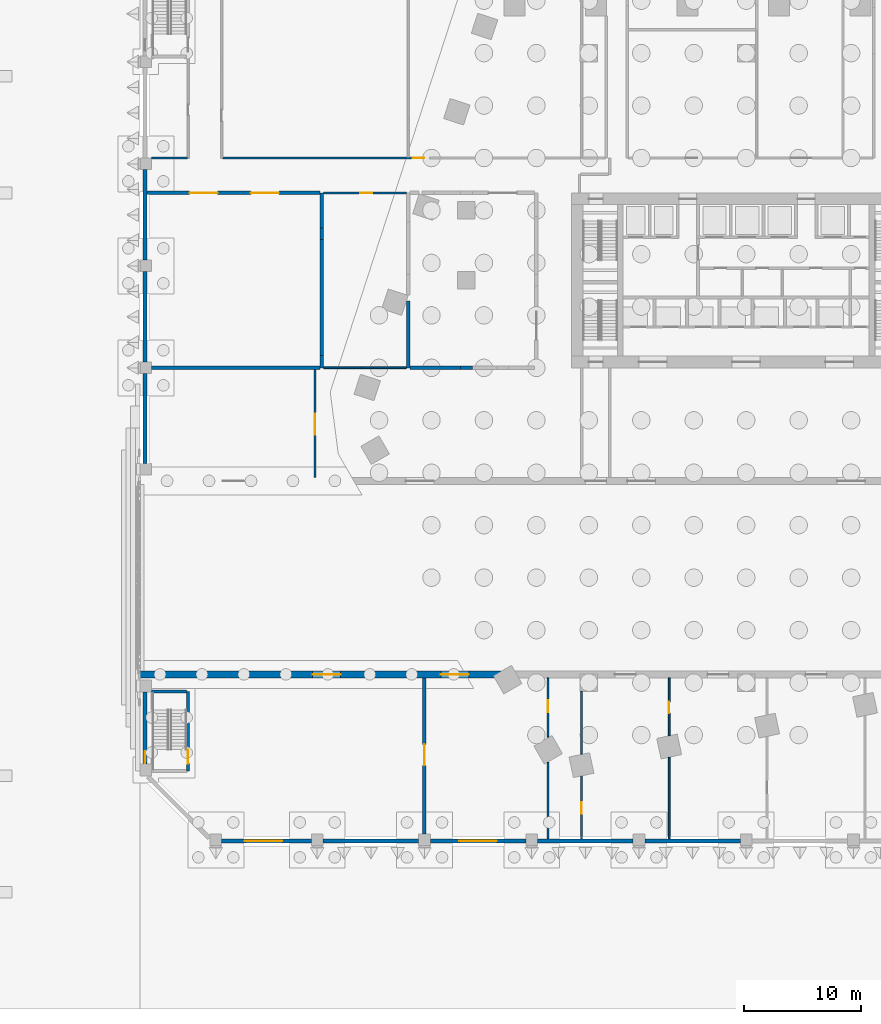
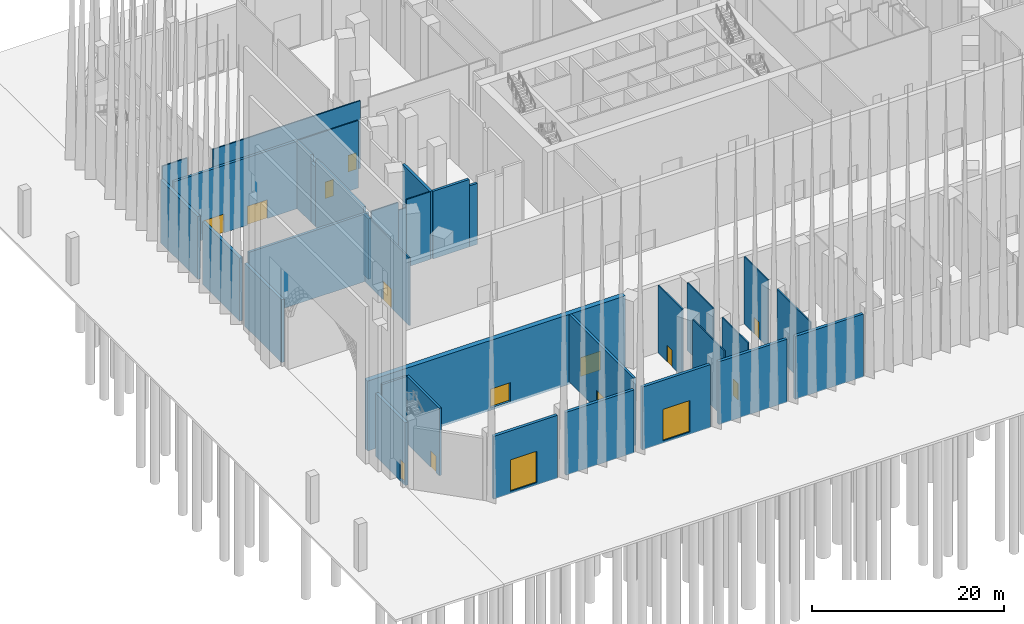
# One storey, part 8 of 32: 35 walls, 15 doors, 15 openings.
"""IFC4 building model written with IfcOpenShell, lengths in metres."""

from ifc_helpers import new_model, si_unit, direction, frame, frame_2d, origin, place, context, subcontext, project, spatial, rectangle, extrude, material, layer, layer_set, type_object, element, fill, save


model = new_model("IFC4")

# Units and contexts
model_context = context("Model", 3, precision=1e-05, world=origin(), true_north=direction((0.0, 1.0)))
body_context = subcontext(model_context, "Body", "Model", "MODEL_VIEW")
ifc_project = project(units=[si_unit("LENGTHUNIT", "METRE"), si_unit("AREAUNIT", "SQUARE_METRE"), si_unit("VOLUMEUNIT", "CUBIC_METRE"), si_unit("PLANEANGLEUNIT", "RADIAN"), si_unit("MASSUNIT", "GRAM", prefix="KILO")], contexts=[model_context])

# Site, building, storey
site_placement = place(None, origin())
site = spatial("IfcSite", under=ifc_project, at=site_placement, CompositionType="ELEMENT")
building_placement = place(site_placement, origin())
building = spatial("IfcBuilding", under=site, at=building_placement, Name="Isthmus Gate Tower", CompositionType="ELEMENT")
storey_placement = place(building_placement, origin())
storey = spatial("IfcBuildingStorey", under=building, at=storey_placement, Name="L00", CompositionType="ELEMENT", Elevation=0.0)

# Walls
ifc_material_1 = material(Name="Double-leaf gypsum board with mineral wool, resilient mounted")
ifc_layer_1 = layer(ifc_material_1, 0.300048828125)
ifc_layer_set_1 = layer_set([ifc_layer_1], Name="Acoustic studio wall 300 double leaf")
wall_type_1 = type_object("IfcWallType", Name="Acoustic studio wall 300 double leaf", PredefinedType="PARTITIONING", material=ifc_layer_set_1)
wall_1_placement = place(storey_placement, frame((-51.0, 0.0, 0.0), z_axis=(0.0, 0.0, 1.0), x_axis=(1.0, 0.0, 0.0)))
element("IfcWall", 1, at=wall_1_placement, inside=storey, type_object=wall_type_1, Name="Acoustic studio wall", PredefinedType="PARTITIONING", context=body_context, shape_type="SweptSolid", body=[
    extrude(rectangle(XDim=14.449951171875, YDim=0.300048828125, at=frame_2d((7.22509765625, 0.0))), origin(), (0.0, 0.0, 1.0), 8.60009765625),
])
wall_2_placement = place(storey_placement, frame((-28.85009765625, 0.0, 0.0), z_axis=(0.0, 0.0, 1.0), x_axis=(1.0, 0.0, 0.0)))
element("IfcWall", 2, at=wall_2_placement, inside=storey, type_object=wall_type_1, Name="Acoustic studio wall", PredefinedType="PARTITIONING", context=body_context, shape_type="SweptSolid", body=[
    extrude(rectangle(XDim=4.35009765625, YDim=0.300048828125, at=frame_2d((2.175048828125, 0.0))), origin(), (0.0, 0.0, 1.0), 8.60009765625),
])
wall_3_placement = place(storey_placement, frame((-24.5, 0.0, 0.0), z_axis=(0.0, 0.0, 1.0), x_axis=(1.0, 0.0, 0.0)))
element("IfcWall", 3, at=wall_3_placement, inside=storey, type_object=wall_type_1, Name="Acoustic studio wall", PredefinedType="PARTITIONING", context=body_context, shape_type="SweptSolid", body=[
    extrude(rectangle(XDim=1.0, YDim=0.300048828125, at=frame_2d((0.5, 0.0))), origin(), (0.0, 0.0, 1.0), 7.764892578125),
])

# Wall, openings, doors
wall_4_placement = place(storey_placement, frame((-51.39990234375, 15.0, 0.0), z_axis=(0.0, 0.0, 1.0), x_axis=(1.0, 0.0, 0.0)))
wall_4 = element("IfcWall", 4, at=wall_4_placement, inside=storey, type_object=wall_type_1, Name="Acoustic studio wall", PredefinedType="PARTITIONING", context=body_context, shape_type="SweptSolid", body=[
    extrude(rectangle(XDim=14.849853515625, YDim=0.300048828125, at=frame_2d((7.4248046875, 0.0))), origin(), (0.0, 0.0, 1.0), 8.60009765625),
])
opening_1_placement = place(wall_4_placement, frame((3.64990234375, 0.0, 0.0)))
opening_1 = element("IfcOpeningElement", 5, at=opening_1_placement, cuts=wall_4, Name="Opening DP00-17", PredefinedType="OPENING", context=body_context, shape_type="SweptSolid", body=[
    extrude(rectangle(XDim=2.39990234375, YDim=2.39990234375, at=frame_2d((1.199951171875, 1.199951171875))), frame((0.0, 0.159912109375, 0.0), z_axis=(0.0, -1.0, 0.0), x_axis=(1.0, 0.0, 0.0)), (0.0, 0.0, 1.0), 0.320068359375),
])
opening_2_placement = place(wall_4_placement, frame((8.89990234375, 0.0, 0.0)))
opening_2 = element("IfcOpeningElement", 6, at=opening_2_placement, cuts=wall_4, Name="Opening DP00-18", PredefinedType="OPENING", context=body_context, shape_type="SweptSolid", body=[
    extrude(rectangle(XDim=2.39990234375, YDim=2.39990234375, at=frame_2d((1.199951171875, 1.199951171875))), frame((0.0, 0.159912109375, 0.0), z_axis=(0.0, -1.0, 0.0), x_axis=(1.0, 0.0, 0.0)), (0.0, 0.0, 1.0), 0.320068359375),
])
ifc_material_2 = material(Name="Hollow metal frame with solid-core timber leaves", Category="wood")
door_type_1 = type_object("IfcDoorType", Name="Double swing door 2400 x 2400", OperationType="DOUBLE_DOOR_SINGLE_SWING", PredefinedType="DOOR", material=ifc_material_2)
door_1_placement = place(opening_1_placement, origin())
door_1 = element("IfcDoor", 7, at=door_1_placement, inside=storey, type_object=door_type_1, Name="Door DP00-17", OperationType="SINGLE_SWING_LEFT", OverallHeight=2.39990234375, OverallWidth=2.39990234375, PredefinedType="DOOR", context=body_context, shape_type="SweptSolid", body=[
    extrude(rectangle(XDim=2.39990234375, YDim=2.39990234375, at=frame_2d((1.199951171875, 1.199951171875))), frame((0.0, 0.02490234375, 0.0), z_axis=(0.0, -1.0, 0.0), x_axis=(1.0, 0.0, 0.0)), (0.0, 0.0, 1.0), 0.050048828125),
])
fill(opening_1, door_1)
door_2_placement = place(opening_2_placement, origin())
door_2 = element("IfcDoor", 8, at=door_2_placement, inside=storey, type_object=door_type_1, Name="Door DP00-18", OperationType="SINGLE_SWING_LEFT", OverallHeight=2.39990234375, OverallWidth=2.39990234375, PredefinedType="DOOR", context=body_context, shape_type="SweptSolid", body=[
    extrude(rectangle(XDim=2.39990234375, YDim=2.39990234375, at=frame_2d((1.199951171875, 1.199951171875))), frame((0.0, 0.02490234375, 0.0), z_axis=(0.0, -1.0, 0.0), x_axis=(1.0, 0.0, 0.0)), (0.0, 0.0, 1.0), 0.050048828125),
])
fill(opening_2, door_2)

# Walls
wall_5_placement = place(storey_placement, frame((-36.39990234375, 0.0, 0.0), z_axis=(0.0, 0.0, 1.0), x_axis=(0.0, 1.0, 0.0)))
element("IfcWall", 9, at=wall_5_placement, inside=storey, type_object=wall_type_1, Name="Acoustic studio wall", PredefinedType="PARTITIONING", context=body_context, shape_type="SweptSolid", body=[
    extrude(rectangle(XDim=1.054931640625, YDim=0.300048828125, at=frame_2d((0.52734375, 0.0))), origin(), (0.0, 0.0, 1.0), 7.6982421875),
])
wall_6_placement = place(storey_placement, frame((-36.39990234375, 1.054931640625, 0.0), z_axis=(0.0, 0.0, 1.0), x_axis=(0.0, 1.0, 0.0)))
element("IfcWall", 10, at=wall_6_placement, inside=storey, type_object=wall_type_1, Name="Acoustic studio wall", PredefinedType="PARTITIONING", context=body_context, shape_type="SweptSolid", body=[
    extrude(rectangle(XDim=9.955810546875, YDim=0.300048828125, at=frame_2d((4.97802734375, 0.0))), origin(), (0.0, 0.0, 1.0), 8.60009765625),
])
wall_7_placement = place(storey_placement, frame((-36.39990234375, 11.0107421875, 0.0), z_axis=(0.0, 0.0, 1.0), x_axis=(0.0, 1.0, 0.0)))
element("IfcWall", 11, at=wall_7_placement, inside=storey, type_object=wall_type_1, Name="Acoustic studio wall", PredefinedType="PARTITIONING", context=body_context, shape_type="SweptSolid", body=[
    extrude(rectangle(XDim=1.0, YDim=0.300048828125, at=frame_2d((0.5, 0.0))), origin(), (0.0, 0.0, 1.0), 7.618896484375),
])
wall_8_placement = place(storey_placement, frame((-36.39990234375, 12.0107421875, 0.0), z_axis=(0.0, 0.0, 1.0), x_axis=(0.0, 1.0, 0.0)))
element("IfcWall", 12, at=wall_8_placement, inside=storey, type_object=wall_type_1, Name="Acoustic studio wall", PredefinedType="PARTITIONING", context=body_context, shape_type="SweptSolid", body=[
    extrude(rectangle(XDim=2.9892578125, YDim=0.300048828125, at=frame_2d((1.49462890625, 0.0))), origin(), (0.0, 0.0, 1.0), 8.60009765625),
])
wall_9_placement = place(storey_placement, frame((-29.0, 0.0, 0.0), z_axis=(0.0, 0.0, 1.0), x_axis=(0.0, 1.0, 0.0)))
element("IfcWall", 13, at=wall_9_placement, inside=storey, type_object=wall_type_1, Name="Acoustic studio wall", PredefinedType="PARTITIONING", context=body_context, shape_type="SweptSolid", body=[
    extrude(rectangle(XDim=5.751953125, YDim=0.300048828125, at=frame_2d((2.8759765625, 0.0))), origin(), (0.0, 0.0, 1.0), 8.60009765625),
])

# Wall, opening, door
wall_10_placement = place(storey_placement, frame((-27.60009765625, -40.0, 0.0), z_axis=(0.0, 0.0, 1.0), x_axis=(0.0, 1.0, 0.0)))
wall_10 = element("IfcWall", 14, at=wall_10_placement, inside=storey, type_object=wall_type_1, Name="Acoustic studio wall", PredefinedType="PARTITIONING", context=body_context, shape_type="SweptSolid", body=[
    extrude(rectangle(XDim=13.39990234375, YDim=0.300048828125, at=frame_2d((6.699951171875, 0.0))), origin(), (0.0, 0.0, 1.0), 8.60009765625),
])
opening_3_placement = place(wall_10_placement, frame((5.89990234375, 0.0, 0.0)))
opening_3 = element("IfcOpeningElement", 15, at=opening_3_placement, cuts=wall_10, Name="Opening DP00-10", PredefinedType="OPENING", context=body_context, shape_type="SweptSolid", body=[
    extrude(rectangle(XDim=1.800048828125, YDim=2.39990234375, at=frame_2d((0.89990234375, 1.199951171875))), frame((0.0, 0.159912109375, 0.0), z_axis=(0.0, -1.0, 0.0), x_axis=(1.0, 0.0, 0.0)), (0.0, 0.0, 1.0), 0.320068359375),
])
ifc_material_3 = material(Name="Hollow metal frame with solid-core timber leaves", Category="wood")
door_type_2 = type_object("IfcDoorType", Name="Double swing door 1800 x 2400", OperationType="DOUBLE_DOOR_SINGLE_SWING", PredefinedType="DOOR", material=ifc_material_3)
door_3_placement = place(opening_3_placement, origin())
door_3 = element("IfcDoor", 16, at=door_3_placement, inside=storey, type_object=door_type_2, Name="Door DP00-10", OperationType="SINGLE_SWING_LEFT", OverallHeight=2.39990234375, OverallWidth=1.800048828125, PredefinedType="DOOR", context=body_context, shape_type="SweptSolid", body=[
    extrude(rectangle(XDim=1.800048828125, YDim=2.39990234375, at=frame_2d((0.89990234375, 1.199951171875))), frame((0.0, 0.02490234375, 0.0), z_axis=(0.0, -1.0, 0.0), x_axis=(1.0, 0.0, 0.0)), (0.0, 0.0, 1.0), 0.050048828125),
])
fill(opening_3, door_3)

ifc_material_4 = material(Name="Precast concrete C40/50, limestone-faced", Category="masonry")
ifc_layer_2 = layer(ifc_material_4, 0.35009765625)
ifc_layer_set_2 = layer_set([ifc_layer_2], Name="PODIUM CLADDING WALL 350")
wall_type_2 = type_object("IfcWallType", Name="PODIUM CLADDING WALL 350", PredefinedType="SOLIDWALL", material=ifc_layer_set_2)
wall_11_placement = place(storey_placement, frame((-45.0, -40.574951171875, -0.300048828125), z_axis=(0.0, 0.0, 1.0), x_axis=(1.0, 0.0, 0.0)))
wall_11 = element("IfcWall", 17, at=wall_11_placement, inside=storey, type_object=wall_type_2, Name="PODIUM WALL", PredefinedType="SOLIDWALL", context=body_context, shape_type="SweptSolid", body=[
    extrude(rectangle(XDim=7.699951171875, YDim=0.35009765625, at=frame_2d((3.85009765625, 0.0))), origin(), (0.0, 0.0, 1.0), 8.0),
])
opening_4_placement = place(wall_11_placement, frame((2.0, 0.0, 0.300048828125)))
opening_4 = element("IfcOpeningElement", 18, at=opening_4_placement, cuts=wall_11, Name="Opening DE00-01", PredefinedType="OPENING", context=body_context, shape_type="SweptSolid", body=[
    extrude(rectangle(XDim=3.199951171875, YDim=4.0, at=frame_2d((1.60009765625, 2.0))), frame((0.0, 0.18505859375, 0.0), z_axis=(0.0, -1.0, 0.0), x_axis=(1.0, 0.0, 0.0)), (0.0, 0.0, 1.0), 0.3701171875),
])
ifc_material_5 = material(Name="Aluminium and laminated glass", Category="aluminium")
door_type_3 = type_object("IfcDoorType", Name="ENTRANCE DOUBLE SWING DOOR 3200 X 4000", OperationType="DOUBLE_DOOR_SINGLE_SWING", PredefinedType="DOOR", material=ifc_material_5)
door_4_placement = place(opening_4_placement, origin())
door_4 = element("IfcDoor", 19, at=door_4_placement, inside=storey, type_object=door_type_3, Name="DOOR DE00-01", OperationType="DOUBLE_DOOR_SINGLE_SWING", OverallHeight=4.0, OverallWidth=3.199951171875, PredefinedType="DOOR", context=body_context, shape_type="SweptSolid", body=[
    extrude(rectangle(XDim=3.199951171875, YDim=4.0, at=frame_2d((1.60009765625, 2.0))), frame((0.0, 0.02490234375, 0.0), z_axis=(0.0, -1.0, 0.0), x_axis=(1.0, 0.0, 0.0)), (0.0, 0.0, 1.0), 0.050048828125),
])
fill(opening_4, door_4)

# Wall
wall_12_placement = place(storey_placement, frame((-36.300048828125, -40.574951171875, -0.300048828125), z_axis=(0.0, 0.0, 1.0), x_axis=(1.0, 0.0, 0.0)))
element("IfcWall", 20, at=wall_12_placement, inside=storey, type_object=wall_type_2, Name="PODIUM WALL", PredefinedType="SOLIDWALL", context=body_context, shape_type="SweptSolid", body=[
    extrude(rectangle(XDim=8.199951171875, YDim=0.35009765625, at=frame_2d((4.10009765625, 0.0))), origin(), (0.0, 0.0, 1.0), 8.0),
])

# Wall, opening, door
wall_13_placement = place(storey_placement, frame((-27.10009765625, -40.574951171875, -0.300048828125), z_axis=(0.0, 0.0, 1.0), x_axis=(1.0, 0.0, 0.0)))
wall_13 = element("IfcWall", 21, at=wall_13_placement, inside=storey, type_object=wall_type_2, Name="PODIUM WALL", PredefinedType="SOLIDWALL", context=body_context, shape_type="SweptSolid", body=[
    extrude(rectangle(XDim=8.2001953125, YDim=0.35009765625, at=frame_2d((4.10009765625, 0.0))), origin(), (0.0, 0.0, 1.0), 8.0),
])
opening_5_placement = place(wall_13_placement, frame((2.5, 0.0, 0.300048828125)))
opening_5 = element("IfcOpeningElement", 22, at=opening_5_placement, cuts=wall_13, Name="Opening DE00-03", PredefinedType="OPENING", context=body_context, shape_type="SweptSolid", body=[
    extrude(rectangle(XDim=3.199951171875, YDim=4.0, at=frame_2d((1.60009765625, 2.0))), frame((0.0, 0.18505859375, 0.0), z_axis=(0.0, -1.0, 0.0), x_axis=(1.0, 0.0, 0.0)), (0.0, 0.0, 1.0), 0.3701171875),
])
door_5_placement = place(opening_5_placement, origin())
door_5 = element("IfcDoor", 23, at=door_5_placement, inside=storey, type_object=door_type_3, Name="DOOR DE00-03", OperationType="DOUBLE_DOOR_SINGLE_SWING", OverallHeight=4.0, OverallWidth=3.199951171875, PredefinedType="DOOR", context=body_context, shape_type="SweptSolid", body=[
    extrude(rectangle(XDim=3.199951171875, YDim=4.0, at=frame_2d((1.60009765625, 2.0))), frame((0.0, 0.02490234375, 0.0), z_axis=(0.0, -1.0, 0.0), x_axis=(1.0, 0.0, 0.0)), (0.0, 0.0, 1.0), 0.050048828125),
])
fill(opening_5, door_5)

# Walls
for number, where, z_axis, x_axis, name in (
    (24, (-17.89990234375, -40.574951171875, -0.300048828125), (0.0, 0.0, 1.0), (1.0, 0.0, 0.0), "PODIUM WALL"),
    (25, (-8.699951171875, -40.574951171875, -0.300048828125), (0.0, 0.0, 1.0), (1.0, 0.0, 0.0), "PODIUM WALL"),
):
    element("IfcWall", number, at=place(storey_placement, frame(where, z_axis=z_axis, x_axis=x_axis)), inside=storey, type_object=wall_type_2, Name=name, PredefinedType="SOLIDWALL", context=body_context, shape_type="SweptSolid", body=[
        extrude(rectangle(XDim=8.199951171875, YDim=0.35009765625, at=frame_2d((4.10009765625, 0.0))), origin(), (0.0, 0.0, 1.0), 8.0),
    ])
for number, where, z_axis, x_axis, name in (
    (26, (-51.574951171875, 17.0, -0.300048828125), (0.0, 0.0, 1.0), (0.0, -1.0, 0.0), "PODIUM WALL"),
    (27, (-51.574951171875, 8.25, -0.300048828125), (0.0, 0.0, 1.0), (0.0, -1.0, 0.0), "PODIUM WALL"),
):
    element("IfcWall", number, at=place(storey_placement, frame(where, z_axis=z_axis, x_axis=x_axis)), inside=storey, type_object=wall_type_2, Name=name, PredefinedType="SOLIDWALL", context=body_context, shape_type="SweptSolid", body=[
        extrude(rectangle(XDim=7.75, YDim=0.35009765625, at=frame_2d((3.875, 0.0))), origin(), (0.0, 0.0, 1.0), 8.0),
    ])
wall_14_placement = place(storey_placement, frame((-51.574951171875, -0.5, -0.300048828125), z_axis=(0.0, 0.0, 1.0), x_axis=(0.0, -1.0, 0.0)))
element("IfcWall", 28, at=wall_14_placement, inside=storey, type_object=wall_type_2, Name="PODIUM WALL", PredefinedType="SOLIDWALL", context=body_context, shape_type="SweptSolid", body=[
    extrude(rectangle(XDim=7.699951171875, YDim=0.35009765625, at=frame_2d((3.85009765625, 0.0))), origin(), (0.0, 0.0, 1.0), 8.0),
])

# Wall, opening, door
wall_15_placement = place(storey_placement, frame((-51.574951171875, -27.800048828125, -0.300048828125), z_axis=(0.0, 0.0, 1.0), x_axis=(0.0, -1.0, 0.0)))
wall_15 = element("IfcWall", 29, at=wall_15_placement, inside=storey, type_object=wall_type_2, Name="PODIUM WALL", PredefinedType="SOLIDWALL", context=body_context, shape_type="SweptSolid", body=[
    extrude(rectangle(XDim=6.199951171875, YDim=0.35009765625, at=frame_2d((3.10009765625, 0.0))), origin(), (0.0, 0.0, 1.0), 8.0),
])
opening_6_placement = place(wall_15_placement, frame((5.10009765625, 0.0, 0.300048828125)))
opening_6 = element("IfcOpeningElement", 30, at=opening_6_placement, cuts=wall_15, Name="Opening DE00-11", PredefinedType="OPENING", context=body_context, shape_type="SweptSolid", body=[
    extrude(rectangle(XDim=1.0, YDim=2.39990234375, at=frame_2d((0.5, 1.199951171875))), frame((0.0, 0.18505859375, 0.0), z_axis=(0.0, -1.0, 0.0), x_axis=(1.0, 0.0, 0.0)), (0.0, 0.0, 1.0), 0.3701171875),
])
ifc_material_6 = material(Name="Galvanised steel, powder-coated", Category="steel")
door_type_4 = type_object("IfcDoorType", Name="STAIR EXIT FIRE DOOR 1000 X 2400", OperationType="SINGLE_SWING_LEFT", PredefinedType="DOOR", material=ifc_material_6)
door_6_placement = place(opening_6_placement, frame((1.0, 0.0, 0.0), z_axis=(0.0, 0.0, 1.0), x_axis=(-1.0, 0.0, 0.0)))
door_6 = element("IfcDoor", 31, at=door_6_placement, inside=storey, type_object=door_type_4, Name="DOOR DE00-11", OperationType="SINGLE_SWING_LEFT", OverallHeight=2.39990234375, OverallWidth=1.0, PredefinedType="DOOR", context=body_context, shape_type="SweptSolid", body=[
    extrude(rectangle(XDim=1.0, YDim=2.39990234375, at=frame_2d((0.5, 1.199951171875))), frame((0.0, 0.02490234375, 0.0), z_axis=(0.0, -1.0, 0.0), x_axis=(1.0, 0.0, 0.0)), (0.0, 0.0, 1.0), 0.050048828125),
])
fill(opening_6, door_6)

# Walls
ifc_material_7 = material(Name="Gypsum board on cold-formed steel studs", Category="steel")
ifc_layer_3 = layer(ifc_material_7, 0.14990234375)
ifc_layer_set_3 = layer_set([ifc_layer_3])
wall_type_3 = type_object("IfcWallType", Name="Partition 150 gypsum board on steel studs", PredefinedType="PARTITIONING", material=ifc_layer_set_3)
wall_16_placement = place(storey_placement, frame((-36.25, 0.0, 0.0), z_axis=(0.0, 0.0, 1.0), x_axis=(1.0, 0.0, 0.0)))
element("IfcWall", 32, at=wall_16_placement, inside=storey, type_object=wall_type_3, Name="Partition", PredefinedType="PARTITIONING", context=body_context, shape_type="SweptSolid", body=[
    extrude(rectangle(XDim=3.259033203125, YDim=0.14990234375, at=frame_2d((1.62939453125, 0.0))), origin(), (0.0, 0.0, 1.0), 8.60009765625),
])
wall_17_placement = place(storey_placement, frame((-32.990966796875, 0.0, 0.0), z_axis=(0.0, 0.0, 1.0), x_axis=(1.0, 0.0, 0.0)))
element("IfcWall", 33, at=wall_17_placement, inside=storey, type_object=wall_type_3, Name="Partition", PredefinedType="PARTITIONING", context=body_context, shape_type="SweptSolid", body=[
    extrude(rectangle(XDim=1.0, YDim=0.14990234375, at=frame_2d((0.5, 0.0))), origin(), (0.0, 0.0, 1.0), 7.60009765625),
])
wall_18_placement = place(storey_placement, frame((-31.990966796875, 0.0, 0.0), z_axis=(0.0, 0.0, 1.0), x_axis=(1.0, 0.0, 0.0)))
element("IfcWall", 34, at=wall_18_placement, inside=storey, type_object=wall_type_3, Name="Partition", PredefinedType="PARTITIONING", context=body_context, shape_type="SweptSolid", body=[
    extrude(rectangle(XDim=2.841064453125, YDim=0.14990234375, at=frame_2d((1.42041015625, 0.0))), origin(), (0.0, 0.0, 1.0), 8.60009765625),
])

# Wall, opening, door
wall_19_placement = place(storey_placement, frame((-36.25, 15.0, 0.0), z_axis=(0.0, 0.0, 1.0), x_axis=(1.0, 0.0, 0.0)))
wall_19 = element("IfcWall", 35, at=wall_19_placement, inside=storey, type_object=wall_type_3, Name="Partition", PredefinedType="PARTITIONING", context=body_context, shape_type="SweptSolid", body=[
    extrude(rectangle(XDim=7.10009765625, YDim=0.14990234375, at=frame_2d((3.550048828125, 0.0))), origin(), (0.0, 0.0, 1.0), 8.60009765625),
])
opening_7_placement = place(wall_19_placement, frame((3.14990234375, 0.0, 0.0)))
opening_7 = element("IfcOpeningElement", 36, at=opening_7_placement, cuts=wall_19, Name="Opening DP00-19", PredefinedType="OPENING", context=body_context, shape_type="SweptSolid", body=[
    extrude(rectangle(XDim=1.0, YDim=2.10009765625, at=frame_2d((0.5, 1.050048828125))), frame((0.0, 0.0849609375, 0.0), z_axis=(0.0, -1.0, 0.0), x_axis=(1.0, 0.0, 0.0)), (0.0, 0.0, 1.0), 0.169921875),
])
ifc_material_8 = material(Name="Hollow metal frame with solid-core timber leaf", Category="wood")
door_type_5 = type_object("IfcDoorType", Name="Single swing door 1000 x 2100", OperationType="SINGLE_SWING_LEFT", PredefinedType="DOOR", material=ifc_material_8)
door_7_placement = place(opening_7_placement, origin())
door_7 = element("IfcDoor", 37, at=door_7_placement, inside=storey, type_object=door_type_5, Name="Door DP00-19", OperationType="SINGLE_SWING_LEFT", OverallHeight=2.10009765625, OverallWidth=1.0, PredefinedType="DOOR", context=body_context, shape_type="SweptSolid", body=[
    extrude(rectangle(XDim=1.0, YDim=2.10009765625, at=frame_2d((0.5, 1.050048828125))), frame((0.0, 0.02490234375, 0.0), z_axis=(0.0, -1.0, 0.0), x_axis=(1.0, 0.0, 0.0)), (0.0, 0.0, 1.0), 0.050048828125),
])
fill(opening_7, door_7)

# Wall
wall_20_placement = place(storey_placement, frame((-51.0, 18.0, 0.0), z_axis=(0.0, 0.0, 1.0), x_axis=(1.0, 0.0, 0.0)))
element("IfcWall", 38, at=wall_20_placement, inside=storey, type_object=wall_type_3, Name="Partition", PredefinedType="PARTITIONING", context=body_context, shape_type="SweptSolid", body=[
    extrude(rectangle(XDim=3.050048828125, YDim=0.14990234375, at=frame_2d((1.52490234375, 0.0))), origin(), (0.0, 0.0, 1.0), 8.60009765625),
])

# Wall, opening, door
wall_21_placement = place(storey_placement, frame((-44.925048828125, 18.0, 0.0), z_axis=(0.0, 0.0, 1.0), x_axis=(1.0, 0.0, 0.0)))
wall_21 = element("IfcWall", 39, at=wall_21_placement, inside=storey, type_object=wall_type_3, Name="Partition", PredefinedType="PARTITIONING", context=body_context, shape_type="SweptSolid", body=[
    extrude(rectangle(XDim=17.78271484375, YDim=0.14990234375, at=frame_2d((8.891357421875, 0.0))), origin(), (0.0, 0.0, 1.0), 8.60009765625),
])
opening_8_placement = place(wall_21_placement, frame((16.324951171875, 0.0, 0.0)))
opening_8 = element("IfcOpeningElement", 40, at=opening_8_placement, cuts=wall_21, Name="Opening DP00-30", PredefinedType="OPENING", context=body_context, shape_type="SweptSolid", body=[
    extrude(rectangle(XDim=1.0, YDim=2.10009765625, at=frame_2d((0.5, 1.050048828125))), frame((0.0, 0.0849609375, 0.0), z_axis=(0.0, -1.0, 0.0), x_axis=(1.0, 0.0, 0.0)), (0.0, 0.0, 1.0), 0.169921875),
])
door_8_placement = place(opening_8_placement, origin())
door_8 = element("IfcDoor", 41, at=door_8_placement, inside=storey, type_object=door_type_5, Name="Door DP00-30", OperationType="SINGLE_SWING_LEFT", OverallHeight=2.10009765625, OverallWidth=1.0, PredefinedType="DOOR", context=body_context, shape_type="SweptSolid", body=[
    extrude(rectangle(XDim=1.0, YDim=2.10009765625, at=frame_2d((0.5, 1.050048828125))), frame((0.0, 0.02490234375, 0.0), z_axis=(0.0, -1.0, 0.0), x_axis=(1.0, 0.0, 0.0)), (0.0, 0.0, 1.0), 0.050048828125),
])
fill(opening_8, door_8)

wall_22_placement = place(storey_placement, frame((-37.0, -9.39990234375, 0.0), z_axis=(0.0, 0.0, 1.0), x_axis=(0.0, 1.0, 0.0)))
wall_22 = element("IfcWall", 42, at=wall_22_placement, inside=storey, type_object=wall_type_3, Name="Partition", PredefinedType="PARTITIONING", context=body_context, shape_type="SweptSolid", body=[
    extrude(rectangle(XDim=9.25, YDim=0.14990234375, at=frame_2d((4.625, 0.0))), origin(), (0.0, 0.0, 1.0), 8.60009765625),
])
opening_9_placement = place(wall_22_placement, frame((3.64990234375, 0.0, 0.0)))
opening_9 = element("IfcOpeningElement", 43, at=opening_9_placement, cuts=wall_22, Name="Opening DP00-15", PredefinedType="OPENING", context=body_context, shape_type="SweptSolid", body=[
    extrude(rectangle(XDim=1.800048828125, YDim=2.39990234375, at=frame_2d((0.89990234375, 1.199951171875))), frame((0.0, 0.0849609375, 0.0), z_axis=(0.0, -1.0, 0.0), x_axis=(1.0, 0.0, 0.0)), (0.0, 0.0, 1.0), 0.169921875),
])
door_9_placement = place(opening_9_placement, origin())
door_9 = element("IfcDoor", 44, at=door_9_placement, inside=storey, type_object=door_type_2, Name="Door DP00-15", OperationType="SINGLE_SWING_LEFT", OverallHeight=2.39990234375, OverallWidth=1.800048828125, PredefinedType="DOOR", context=body_context, shape_type="SweptSolid", body=[
    extrude(rectangle(XDim=1.800048828125, YDim=2.39990234375, at=frame_2d((0.89990234375, 1.199951171875))), frame((0.0, 0.02490234375, 0.0), z_axis=(0.0, -1.0, 0.0), x_axis=(1.0, 0.0, 0.0)), (0.0, 0.0, 1.0), 0.050048828125),
])
fill(opening_9, door_9)

# Wall
wall_23_placement = place(storey_placement, frame((-16.9951171875, -40.39990234375, 0.0), z_axis=(0.0, 0.0, 1.0), x_axis=(0.0, 1.0, 0.0)))
element("IfcWall", 45, at=wall_23_placement, inside=storey, type_object=wall_type_3, Name="Partition", PredefinedType="PARTITIONING", context=body_context, shape_type="SweptSolid", body=[
    extrude(rectangle(XDim=6.55419921875, YDim=0.14990234375, at=frame_2d((3.277099609375, 0.0))), origin(), (0.0, 0.0, 1.0), 8.60009765625),
])

# Wall, opening, door
wall_24_placement = place(storey_placement, frame((-16.9951171875, -31.6806640625, 0.0), z_axis=(0.0, 0.0, 1.0), x_axis=(0.0, 1.0, 0.0)))
wall_24 = element("IfcWall", 46, at=wall_24_placement, inside=storey, type_object=wall_type_3, Name="Partition", PredefinedType="PARTITIONING", context=body_context, shape_type="SweptSolid", body=[
    extrude(rectangle(XDim=5.08056640625, YDim=0.14990234375, at=frame_2d((2.540283203125, 0.0))), origin(), (0.0, 0.0, 1.0), 8.60009765625),
])
opening_10_placement = place(wall_24_placement, frame((2.14990234375, 0.0, 0.0)))
opening_10 = element("IfcOpeningElement", 47, at=opening_10_placement, cuts=wall_24, Name="Opening DP00-13", PredefinedType="OPENING", context=body_context, shape_type="SweptSolid", body=[
    extrude(rectangle(XDim=1.0, YDim=2.10009765625, at=frame_2d((0.5, 1.050048828125))), frame((0.0, 0.0849609375, 0.0), z_axis=(0.0, -1.0, 0.0), x_axis=(1.0, 0.0, 0.0)), (0.0, 0.0, 1.0), 0.169921875),
])
door_10_placement = place(opening_10_placement, origin())
door_10 = element("IfcDoor", 48, at=door_10_placement, inside=storey, type_object=door_type_5, Name="Door DP00-13", OperationType="SINGLE_SWING_LEFT", OverallHeight=2.10009765625, OverallWidth=1.0, PredefinedType="DOOR", context=body_context, shape_type="SweptSolid", body=[
    extrude(rectangle(XDim=1.0, YDim=2.10009765625, at=frame_2d((0.5, 1.050048828125))), frame((0.0, 0.02490234375, 0.0), z_axis=(0.0, -1.0, 0.0), x_axis=(1.0, 0.0, 0.0)), (0.0, 0.0, 1.0), 0.050048828125),
])
fill(opening_10, door_10)

wall_25_placement = place(storey_placement, frame((-14.132080078125, -40.39990234375, 0.0), z_axis=(0.0, 0.0, 1.0), x_axis=(0.0, 1.0, 0.0)))
wall_25 = element("IfcWall", 49, at=wall_25_placement, inside=storey, type_object=wall_type_3, Name="Partition", PredefinedType="PARTITIONING", context=body_context, shape_type="SweptSolid", body=[
    extrude(rectangle(XDim=5.380126953125, YDim=0.14990234375, at=frame_2d((2.68994140625, 0.0))), origin(), (0.0, 0.0, 1.0), 8.60009765625),
])
opening_11_placement = place(wall_25_placement, frame((2.14990234375, 0.0, 0.0)))
opening_11 = element("IfcOpeningElement", 50, at=opening_11_placement, cuts=wall_25, Name="Opening DP00-38", PredefinedType="OPENING", context=body_context, shape_type="SweptSolid", body=[
    extrude(rectangle(XDim=1.0, YDim=2.10009765625, at=frame_2d((0.5, 1.050048828125))), frame((0.0, 0.0849609375, 0.0), z_axis=(0.0, -1.0, 0.0), x_axis=(1.0, 0.0, 0.0)), (0.0, 0.0, 1.0), 0.169921875),
])
door_11_placement = place(opening_11_placement, origin())
door_11 = element("IfcDoor", 51, at=door_11_placement, inside=storey, type_object=door_type_5, Name="Door DP00-38", OperationType="SINGLE_SWING_LEFT", OverallHeight=2.10009765625, OverallWidth=1.0, PredefinedType="DOOR", context=body_context, shape_type="SweptSolid", body=[
    extrude(rectangle(XDim=1.0, YDim=2.10009765625, at=frame_2d((0.5, 1.050048828125))), frame((0.0, 0.02490234375, 0.0), z_axis=(0.0, -1.0, 0.0), x_axis=(1.0, 0.0, 0.0)), (0.0, 0.0, 1.0), 0.050048828125),
])
fill(opening_11, door_11)

# Walls
wall_26_placement = place(storey_placement, frame((-14.132080078125, -33.147705078125, 0.0), z_axis=(0.0, 0.0, 1.0), x_axis=(0.0, 1.0, 0.0)))
element("IfcWall", 52, at=wall_26_placement, inside=storey, type_object=wall_type_3, Name="Partition", PredefinedType="PARTITIONING", context=body_context, shape_type="SweptSolid", body=[
    extrude(rectangle(XDim=5.397705078125, YDim=0.14990234375, at=frame_2d((2.69873046875, 0.0))), origin(), (0.0, 0.0, 1.0), 8.60009765625),
])
wall_27_placement = place(storey_placement, frame((-6.611083984375, -40.39990234375, 0.0), z_axis=(0.0, 0.0, 1.0), x_axis=(0.0, 1.0, 0.0)))
element("IfcWall", 53, at=wall_27_placement, inside=storey, type_object=wall_type_3, Name="Partition", PredefinedType="PARTITIONING", context=body_context, shape_type="SweptSolid", body=[
    extrude(rectangle(XDim=6.978759765625, YDim=0.14990234375, at=frame_2d((3.4892578125, 0.0))), origin(), (0.0, 0.0, 1.0), 8.60009765625),
])

# Wall, opening, door
wall_28_placement = place(storey_placement, frame((-6.611083984375, -31.549072265625, 0.0), z_axis=(0.0, 0.0, 1.0), x_axis=(0.0, 1.0, 0.0)))
wall_28 = element("IfcWall", 54, at=wall_28_placement, inside=storey, type_object=wall_type_3, Name="Partition", PredefinedType="PARTITIONING", context=body_context, shape_type="SweptSolid", body=[
    extrude(rectangle(XDim=4.948974609375, YDim=0.14990234375, at=frame_2d((2.474609375, 0.0))), origin(), (0.0, 0.0, 1.0), 8.60009765625),
])
opening_12_placement = place(wall_28_placement, frame((1.89990234375, 0.0, 0.0)))
opening_12 = element("IfcOpeningElement", 55, at=opening_12_placement, cuts=wall_28, Name="Opening DP00-39", PredefinedType="OPENING", context=body_context, shape_type="SweptSolid", body=[
    extrude(rectangle(XDim=1.0, YDim=2.10009765625, at=frame_2d((0.5, 1.050048828125))), frame((0.0, 0.0849609375, 0.0), z_axis=(0.0, -1.0, 0.0), x_axis=(1.0, 0.0, 0.0)), (0.0, 0.0, 1.0), 0.169921875),
])
door_12_placement = place(opening_12_placement, origin())
door_12 = element("IfcDoor", 56, at=door_12_placement, inside=storey, type_object=door_type_5, Name="Door DP00-39", OperationType="SINGLE_SWING_LEFT", OverallHeight=2.10009765625, OverallWidth=1.0, PredefinedType="DOOR", context=body_context, shape_type="SweptSolid", body=[
    extrude(rectangle(XDim=1.0, YDim=2.10009765625, at=frame_2d((0.5, 1.050048828125))), frame((0.0, 0.02490234375, 0.0), z_axis=(0.0, -1.0, 0.0), x_axis=(1.0, 0.0, 0.0)), (0.0, 0.0, 1.0), 0.050048828125),
])
fill(opening_12, door_12)

# Wall, openings, doors
ifc_material_9 = material(Name="Concrete f'c 70 MPa", Category="concrete")
ifc_layer_4 = layer(ifc_material_9, 0.60009765625)
ifc_layer_set_4 = layer_set([ifc_layer_4], Name="RC PASSAGE WALL 600 F'C 70")
wall_type_4 = type_object("IfcWallType", Name="RC PASSAGE WALL 600 F'C 70", PredefinedType="SOLIDWALL", material=ifc_layer_set_4)
wall_29_placement = place(storey_placement, frame((-52.0, -26.300048828125, -0.300048828125), z_axis=(0.0, 0.0, 1.0), x_axis=(1.0, 0.0, 0.0)))
wall_29 = element("IfcWall", 57, at=wall_29_placement, inside=storey, type_object=wall_type_4, Name="str-passwall-S-L00-1", PredefinedType="SOLIDWALL", context=body_context, shape_type="SweptSolid", body=[
    extrude(rectangle(XDim=31.031982421875, YDim=0.60009765625, at=frame_2d((15.51611328125, 0.0))), origin(), (0.0, 0.0, 1.0), 8.900146484375),
])
opening_13_placement = place(wall_29_placement, frame((14.800048828125, 0.0, 0.300048828125)))
opening_13 = element("IfcOpeningElement", 58, at=opening_13_placement, cuts=wall_29, Name="Opening DP00-42", PredefinedType="OPENING", context=body_context, shape_type="SweptSolid", body=[
    extrude(rectangle(XDim=2.39990234375, YDim=2.39990234375, at=frame_2d((1.199951171875, 1.199951171875))), frame((0.0, 0.31005859375, 0.0), z_axis=(0.0, -1.0, 0.0), x_axis=(1.0, 0.0, 0.0)), (0.0, 0.0, 1.0), 0.6201171875),
])
opening_14_placement = place(wall_29_placement, frame((25.800048828125, 0.0, 0.300048828125)))
opening_14 = element("IfcOpeningElement", 59, at=opening_14_placement, cuts=wall_29, Name="Opening DP00-48", PredefinedType="OPENING", context=body_context, shape_type="SweptSolid", body=[
    extrude(rectangle(XDim=2.39990234375, YDim=2.39990234375, at=frame_2d((1.199951171875, 1.199951171875))), frame((0.0, 0.31005859375, 0.0), z_axis=(0.0, -1.0, 0.0), x_axis=(1.0, 0.0, 0.0)), (0.0, 0.0, 1.0), 0.6201171875),
])
door_13_placement = place(opening_13_placement, origin())
door_13 = element("IfcDoor", 60, at=door_13_placement, inside=storey, type_object=door_type_1, Name="Door DP00-42", OperationType="SINGLE_SWING_LEFT", OverallHeight=2.39990234375, OverallWidth=2.39990234375, PredefinedType="DOOR", context=body_context, shape_type="SweptSolid", body=[
    extrude(rectangle(XDim=2.39990234375, YDim=2.39990234375, at=frame_2d((1.199951171875, 1.199951171875))), frame((0.0, 0.02490234375, 0.0), z_axis=(0.0, -1.0, 0.0), x_axis=(1.0, 0.0, 0.0)), (0.0, 0.0, 1.0), 0.050048828125),
])
fill(opening_13, door_13)
ifc_material_10 = material(Name="Toughened glass leaf in aluminium frame", Category="aluminium")
door_type_6 = type_object("IfcDoorType", Name="Glazed swing door 2400 x 2400", OperationType="SINGLE_SWING_LEFT", PredefinedType="DOOR", material=ifc_material_10)
door_14_placement = place(opening_14_placement, origin())
door_14 = element("IfcDoor", 61, at=door_14_placement, inside=storey, type_object=door_type_6, Name="Door DP00-48", OperationType="SINGLE_SWING_LEFT", OverallHeight=2.39990234375, OverallWidth=2.39990234375, PredefinedType="DOOR", context=body_context, shape_type="SweptSolid", body=[
    extrude(rectangle(XDim=2.39990234375, YDim=2.39990234375, at=frame_2d((1.199951171875, 1.199951171875))), frame((0.0, 0.02490234375, 0.0), z_axis=(0.0, -1.0, 0.0), x_axis=(1.0, 0.0, 0.0)), (0.0, 0.0, 1.0), 0.050048828125),
])
fill(opening_14, door_14)

# Wall
ifc_material_11 = material(Name="Concrete f'c 40 MPa", Category="concrete")
ifc_layer_5 = layer(ifc_material_11, 0.25)
ifc_layer_set_5 = layer_set([ifc_layer_5])
wall_type_5 = type_object("IfcWallType", Name="Stair shaft wall 250 reinforced concrete", PredefinedType="SHEAR", material=ifc_layer_set_5)
wall_30_placement = place(storey_placement, frame((-51.0, -27.779052734375, 0.0), z_axis=(0.0, 0.0, 1.0), x_axis=(1.0, 0.0, 0.0)))
element("IfcWall", 62, at=wall_30_placement, inside=storey, type_object=wall_type_5, Name="Stair shaft wall", PredefinedType="SHEAR", context=body_context, shape_type="SweptSolid", body=[
    extrude(rectangle(XDim=3.0, YDim=0.25, at=frame_2d((1.5, 0.0))), origin(), (0.0, 0.0, 1.0), 8.60009765625),
])

# Wall, opening, door
wall_31_placement = place(storey_placement, frame((-47.875, -34.60009765625, 0.0), z_axis=(0.0, 0.0, 1.0), x_axis=(0.0, 1.0, 0.0)))
wall_31 = element("IfcWall", 63, at=wall_31_placement, inside=storey, type_object=wall_type_5, Name="Stair shaft wall", PredefinedType="SHEAR", context=body_context, shape_type="SweptSolid", body=[
    extrude(rectangle(XDim=6.821044921875, YDim=0.25, at=frame_2d((3.41064453125, 0.0))), origin(), (0.0, 0.0, 1.0), 8.60009765625),
])
opening_15_placement = place(wall_31_placement, frame((0.64990234375, 0.0, 0.0)))
opening_15 = element("IfcOpeningElement", 64, at=opening_15_placement, cuts=wall_31, Name="Opening DP00-08", PredefinedType="OPENING", context=body_context, shape_type="SweptSolid", body=[
    extrude(rectangle(XDim=1.199951171875, YDim=2.10009765625, at=frame_2d((0.60009765625, 1.050048828125))), frame((0.0, 0.135009765625, 0.0), z_axis=(0.0, -1.0, 0.0), x_axis=(1.0, 0.0, 0.0)), (0.0, 0.0, 1.0), 0.27001953125),
])
ifc_material_12 = material(Name="Steel fire door with intumescent seals", Category="steel")
door_type_7 = type_object("IfcDoorType", Name="Fire door 1200 x 2100", OperationType="SINGLE_SWING_LEFT", PredefinedType="DOOR", material=ifc_material_12)
door_15_placement = place(opening_15_placement, origin())
door_15 = element("IfcDoor", 65, at=door_15_placement, inside=storey, type_object=door_type_7, Name="Door DP00-08", OperationType="SINGLE_SWING_LEFT", OverallHeight=2.10009765625, OverallWidth=1.199951171875, PredefinedType="DOOR", context=body_context, shape_type="SweptSolid", body=[
    extrude(rectangle(XDim=1.199951171875, YDim=2.10009765625, at=frame_2d((0.60009765625, 1.050048828125))), frame((0.0, 0.02490234375, 0.0), z_axis=(0.0, -1.0, 0.0), x_axis=(1.0, 0.0, 0.0)), (0.0, 0.0, 1.0), 0.050048828125),
])
fill(opening_15, door_15)

save(model, "model.ifc")
